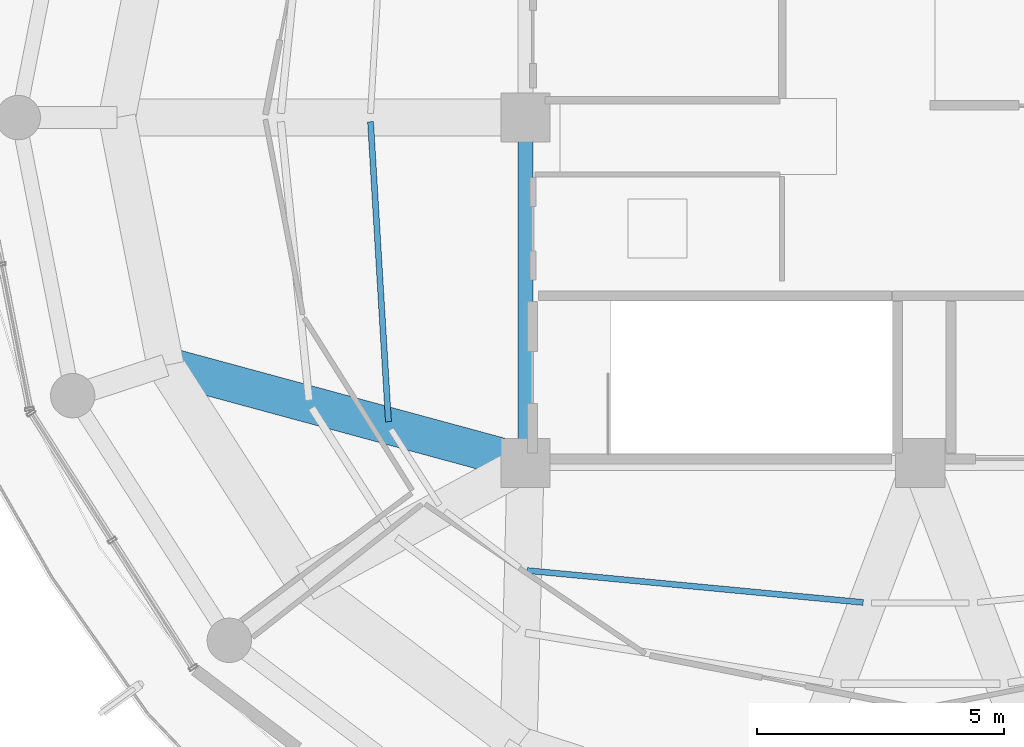
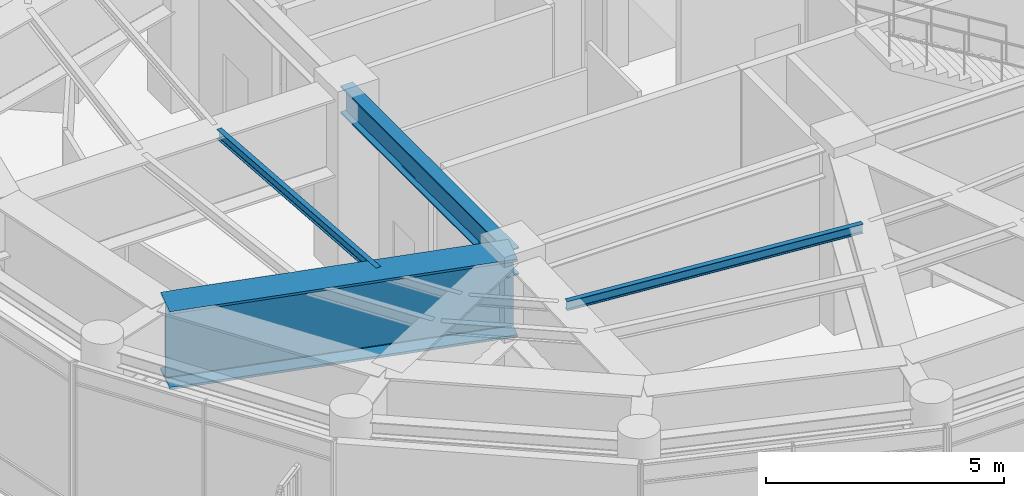
# One storey, part 4 of 23: 4 beams.
"""IFC4 building model written with IfcOpenShell, lengths in metres."""

from ifc_helpers import new_model, si_unit, direction, frame, origin, origin_2d, place, context, subcontext, project, spatial, i_section, extrude, material, material_profile, profile_set, type_object, element, save


model = new_model("IFC4")

# Units and contexts
model_context = context("Model", 3, precision=1e-05, world=origin(), true_north=direction((0.0, 1.0)))
body_context = subcontext(model_context, "Body", "Model", "MODEL_VIEW")
ifc_project = project(units=[si_unit("LENGTHUNIT", "METRE"), si_unit("AREAUNIT", "SQUARE_METRE"), si_unit("VOLUMEUNIT", "CUBIC_METRE"), si_unit("PLANEANGLEUNIT", "RADIAN"), si_unit("MASSUNIT", "GRAM", prefix="KILO")], contexts=[model_context])

# Site, building, storey
site_placement = place(None, origin())
site = spatial("IfcSite", under=ifc_project, at=site_placement, CompositionType="ELEMENT")
building_placement = place(site_placement, origin())
building = spatial("IfcBuilding", under=site, at=building_placement, Name="Kelanora Arch Commons", CompositionType="ELEMENT")
storey_placement = place(building_placement, frame((0.0, 0.0, 293.699951171875)))
storey = spatial("IfcBuildingStorey", under=building, at=storey_placement, Name="L75", CompositionType="ELEMENT", Elevation=293.699951171875)

# Beams
ifc_material = material(Name="Steel S355", Category="steel")
ifc_material_profile_1 = material_profile(ifc_material, i_section(OverallWidth=0.300048828125, OverallDepth=0.699951171875, WebThickness=0.01708984375, FlangeThickness=0.031982421875, FilletRadius=0.027099609375, at=origin_2d()), Name="HEB700")
ifc_profile_set_1 = profile_set([ifc_material_profile_1], Name="Steel S355")
beam_type_1 = type_object("IfcBeamType", Name="BM-CORE-HDR", PredefinedType="BEAM", material=ifc_profile_set_1)
beam_1_placement = place(storey_placement, frame((66.0, 58.0, 4.18994140625), z_axis=(0.0, -1.0, 0.0), x_axis=(1.0, 0.0, 0.0)))
element("IfcBeam", 1, at=beam_1_placement, inside=storey, type_object=beam_type_1, Name="Core Header Beam 09 L75", PredefinedType="BEAM", context=body_context, shape_type="SweptSolid", body=[
    extrude(i_section(OverallWidth=0.300048828125, OverallDepth=0.699951171875, WebThickness=0.01708984375, FlangeThickness=0.031982421875, FilletRadius=0.027099609375, at=origin_2d()), origin(), (0.0, 0.0, 1.0), 7.0),
])
ifc_material_profile_2 = material_profile(ifc_material, i_section(OverallWidth=0.1201171875, OverallDepth=0.239990234375, WebThickness=0.006103515625, FlangeThickness=0.009765625, FilletRadius=0.014892578125, at=origin_2d()), Name="IPE240")
ifc_profile_set_2 = profile_set([ifc_material_profile_2], Name="Steel S355")
beam_type_2 = type_object("IfcBeamType", Name="BM-JST-02", PredefinedType="JOIST", material=ifc_profile_set_2)
beam_2_placement = place(storey_placement, frame((62.858642578125, 57.915283203125, 4.420166015625), z_axis=(0.059619828045, -0.998221155909, 0.0), x_axis=(0.998221155909, 0.059619828045, 0.0)))
element("IfcBeam", 2, at=beam_2_placement, inside=storey, type_object=beam_type_2, Name="Secondary Chord Joist BJA-18 L75", PredefinedType="JOIST", context=body_context, shape_type="SweptSolid", body=[
    extrude(i_section(OverallWidth=0.1201171875, OverallDepth=0.239990234375, WebThickness=0.006103515625, FlangeThickness=0.009765625, FilletRadius=0.014892578125, at=origin_2d()), origin(), (0.0, 0.0, 1.0), 6.089111328125),
])
beam_3_placement = place(storey_placement, frame((66.031494140625, 48.82080078125, 4.420166015625), z_axis=(0.995523661296, -0.094512643594, 0.0), x_axis=(0.094512643594, 0.995523661296, 0.0)))
element("IfcBeam", 3, at=beam_3_placement, inside=storey, type_object=beam_type_2, Name="Secondary Chord Joist BJA-24 L75", PredefinedType="JOIST", context=body_context, shape_type="SweptSolid", body=[
    extrude(i_section(OverallWidth=0.1201171875, OverallDepth=0.239990234375, WebThickness=0.006103515625, FlangeThickness=0.009765625, FilletRadius=0.014892578125, at=origin_2d()), origin(), (0.0, 0.0, 1.0), 6.840087890625),
])
ifc_material_profile_3 = material_profile(ifc_material, i_section(OverallWidth=0.75, OverallDepth=2.0, WebThickness=0.034912109375, FlangeThickness=0.06005859375, FilletRadius=0.028076171875, at=origin_2d()), Name="PG2000x750")
ifc_profile_set_3 = profile_set([ifc_material_profile_3], Name="Steel S355")
beam_type_3 = type_object("IfcBeamType", Name="BM-XFER-SET", PredefinedType="USERDEFINED", material=ifc_profile_set_3)
beam_4_placement = place(storey_placement, frame((66.0, 51.0, 3.5400390625), z_axis=(-0.965145027625, 0.26171563891, 0.0), x_axis=(-0.26171563891, -0.965145027625, 0.0)))
element("IfcBeam", 4, at=beam_4_placement, inside=storey, type_object=beam_type_3, Name="Setback Radial Transfer Girder BRI-20 L75", ObjectType="TRANSFER_GIRDER", PredefinedType="USERDEFINED", context=body_context, shape_type="SweptSolid", body=[
    extrude(i_section(OverallWidth=0.75, OverallDepth=2.0, WebThickness=0.034912109375, FlangeThickness=0.06005859375, FilletRadius=0.028076171875, at=origin_2d()), origin(), (0.0, 0.0, 1.0), 7.561767578125),
])

save(model, "model.ifc")
